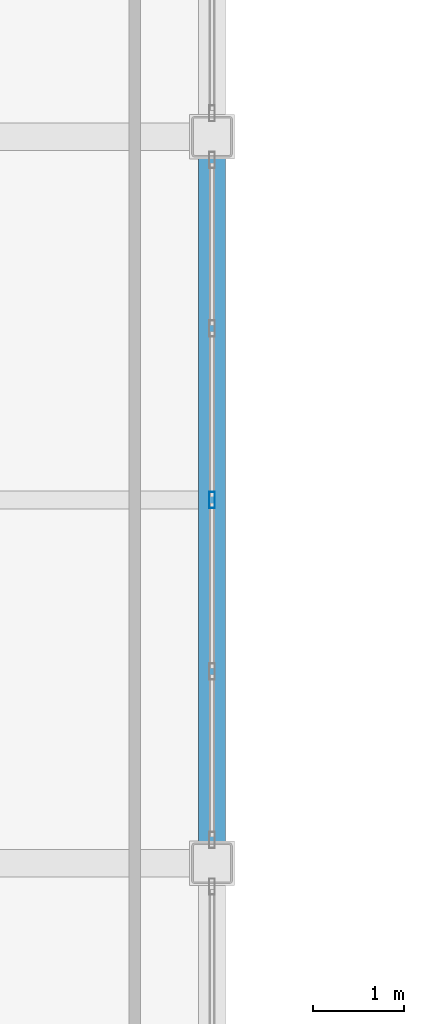
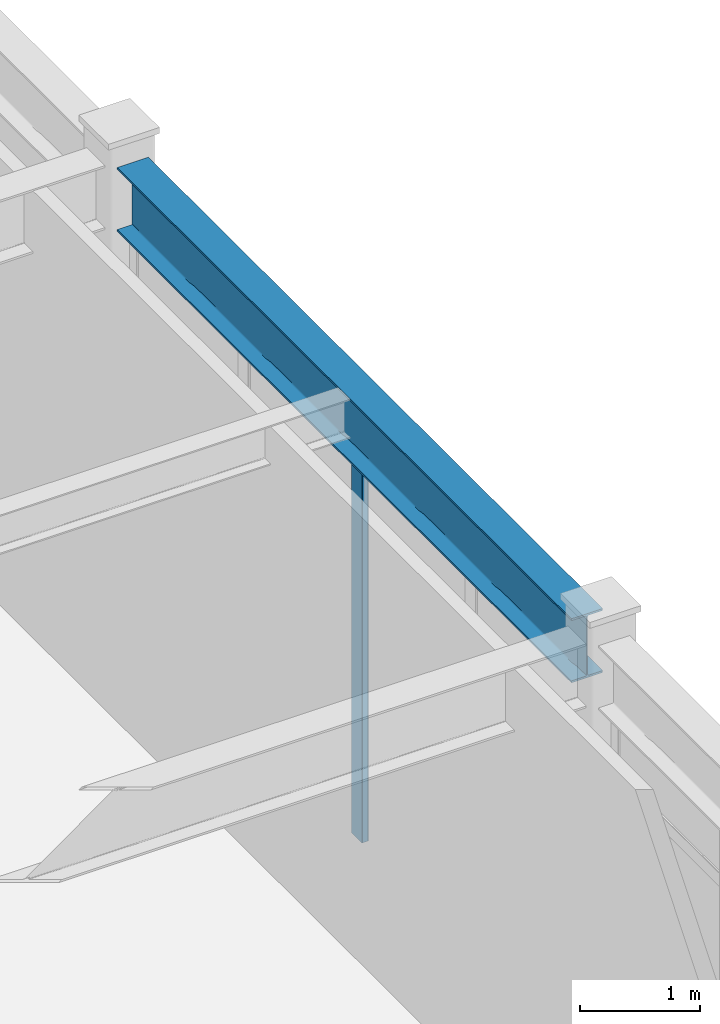
# One storey, part 84 of 172: 1 beam, 1 member, 1 element without a shape of its own.
"""IFC4 building model written with IfcOpenShell, lengths in metres."""

from ifc_helpers import new_model, si_unit, direction, frame, origin, origin_2d, place, context, subcontext, project, spatial, hollow_rectangle, i_section, extrude, material, layer, layer_set, material_profile, profile_set, type_object, element, aggregate, save


model = new_model("IFC4")

# Units and contexts
model_context = context("Model", 3, precision=1e-05, world=origin(), true_north=direction((0.0, 1.0)))
body_context = subcontext(model_context, "Body", "Model", "MODEL_VIEW")
ifc_project = project(units=[si_unit("LENGTHUNIT", "METRE"), si_unit("AREAUNIT", "SQUARE_METRE"), si_unit("VOLUMEUNIT", "CUBIC_METRE"), si_unit("PLANEANGLEUNIT", "RADIAN"), si_unit("MASSUNIT", "GRAM", prefix="KILO")], contexts=[model_context])

# Site, building, storey
site_placement = place(None, origin())
site = spatial("IfcSite", under=ifc_project, at=site_placement, CompositionType="ELEMENT")
building_placement = place(site_placement, origin())
building = spatial("IfcBuilding", under=site, at=building_placement, Name="Kazehara Bluff Congress Hotel", CompositionType="ELEMENT")
storey_placement = place(building_placement, frame((0.0, 0.0, 5.39990234375)))
storey = spatial("IfcBuildingStorey", under=building, at=storey_placement, Name="L01", CompositionType="ELEMENT", Elevation=5.39990234375)

# Curtain wall, member
ifc_material_1 = material(Name="Anodised aluminium", Category="aluminium")
ifc_layer = layer(ifc_material_1, 0.159912109375)
ifc_layer_set = layer_set([ifc_layer], Name="Anodised aluminium")
curtain_wall_type = type_object("IfcCurtainWallType", Name="TP-CW-21", PredefinedType="NOTDEFINED", material=ifc_layer_set)
curtain_wall_placement = place(storey_placement, origin())
curtain_wall = element("IfcCurtainWall", 1, at=curtain_wall_placement, inside=storey, type_object=curtain_wall_type, Name="L01 curtain wall CW-21 CW-V3-L01-X10125-8912", PredefinedType="NOTDEFINED")
ifc_material_2 = material(Name="Anodised aluminium", Category="aluminium")
ifc_material_profile_1 = material_profile(ifc_material_2, hollow_rectangle(XDim=0.06494140625, YDim=0.179931640625, WallThickness=0.00390625, InnerFilletRadius=0.00390625, OuterFilletRadius=0.008056640625, at=origin_2d()))
ifc_profile_set_1 = profile_set([ifc_material_profile_1], Name="Anodised aluminium")
member_type = type_object("IfcMemberType", Name="TP-CWM-02", PredefinedType="MULLION", material=ifc_profile_set_1)
member_placement = place(storey_placement, frame((101.25, 92.89990234375, 0.0), z_axis=(0.0, 0.0, 1.0), x_axis=(-1.0, 0.0, 0.0)))
member = element("IfcMember", 2, at=member_placement, type_object=member_type, Name="CW-21 mullion 3", PredefinedType="MULLION", context=body_context, shape_type="SweptSolid", body=[
    extrude(hollow_rectangle(XDim=0.06494140625, YDim=0.179931640625, WallThickness=0.00390625, InnerFilletRadius=0.00390625, OuterFilletRadius=0.008056640625, at=origin_2d()), origin(), (0.0, 0.0, 1.0), 3.875),
])
aggregate(curtain_wall, [member])

# Beam
ifc_material_3 = material(Name="Steel SN490B", Category="steel")
ifc_material_profile_2 = material_profile(ifc_material_3, i_section(OverallWidth=0.300048828125, OverallDepth=0.64990234375, WebThickness=0.011962890625, FlangeThickness=0.02001953125, FilletRadius=0.012939453125, at=origin_2d()))
ifc_profile_set_2 = profile_set([ifc_material_profile_2], Name="Steel SN490B")
beam_type = type_object("IfcBeamType", Name="TP-G-03", PredefinedType="BEAM", material=ifc_profile_set_2)
beam_placement = place(storey_placement, frame((101.25, 89.125, 4.22509765625), z_axis=(0.0, 1.0, 0.0), x_axis=(-1.0, 0.0, 0.0)))
element("IfcBeam", 3, at=beam_placement, inside=storey, type_object=beam_type, Name="L01 girder G-03 120", PredefinedType="BEAM", context=body_context, shape_type="SweptSolid", body=[
    extrude(i_section(OverallWidth=0.300048828125, OverallDepth=0.64990234375, WebThickness=0.011962890625, FlangeThickness=0.02001953125, FilletRadius=0.012939453125, at=origin_2d()), origin(), (0.0, 0.0, 1.0), 7.550048828125),
])

save(model, "model.ifc")
